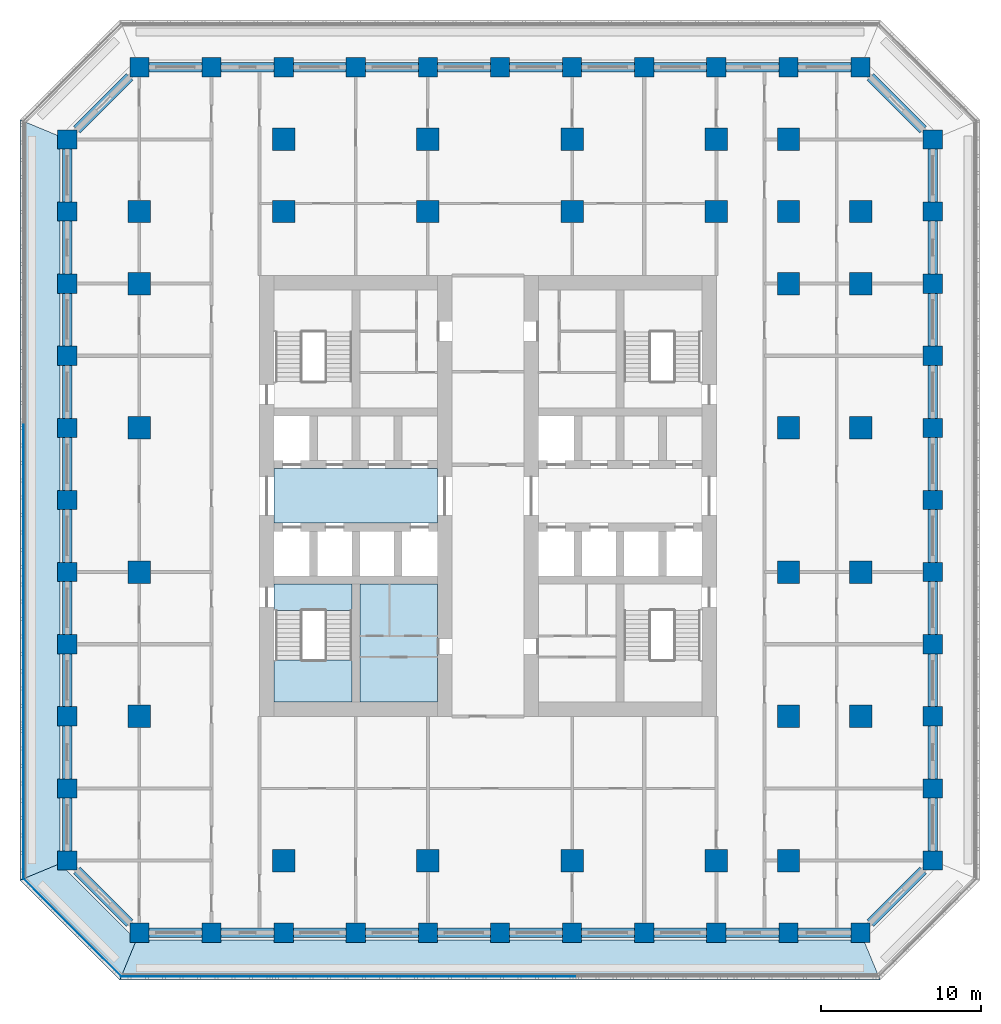
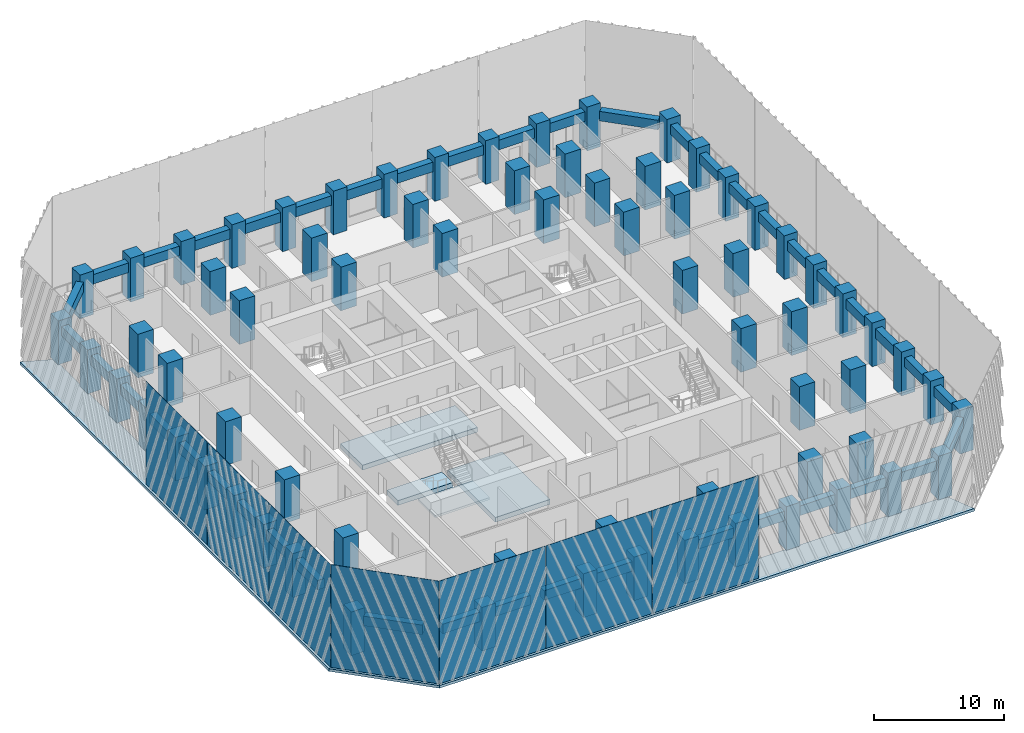
# One storey, part 1 of 20: 73 columns, 44 beams, 7 plates, 7 slabs, 1 element without a shape of its own.
"""IFC4 building model written with IfcOpenShell, lengths in metres."""

from ifc_helpers import new_model, si_unit, direction, frame, origin, origin_2d, place, context, subcontext, project, spatial, polyline, rectangle, outline, extrude, material, layer, layer_set, material_profile, profile_set, type_object, element, aggregate, save


model = new_model("IFC4")

# Units and contexts
model_context = context("Model", 3, precision=1e-05, world=origin(), true_north=direction((0.0, 1.0)))
body_context = subcontext(model_context, "Body", "Model", "MODEL_VIEW")
ifc_project = project(units=[si_unit("LENGTHUNIT", "METRE"), si_unit("AREAUNIT", "SQUARE_METRE"), si_unit("VOLUMEUNIT", "CUBIC_METRE"), si_unit("PLANEANGLEUNIT", "RADIAN"), si_unit("MASSUNIT", "GRAM", prefix="KILO")], contexts=[model_context])

# Site, building, storey
site_placement = place(None, origin())
site = spatial("IfcSite", under=ifc_project, at=site_placement, CompositionType="ELEMENT")
building_placement = place(site_placement, origin())
building = spatial("IfcBuilding", under=site, at=building_placement, Name="Corbel Stack Research Tower", CompositionType="ELEMENT")
storey_placement = place(building_placement, frame((0.0, 0.0, 106.60009765625)))
storey = spatial("IfcBuildingStorey", under=building, at=storey_placement, Name="L24", CompositionType="ELEMENT", Elevation=106.60009765625)

# Columns
ifc_material_1 = material(Name="Concrete C70/85", Category="concrete")
ifc_material_profile_1 = material_profile(ifc_material_1, rectangle(XDim=1.199951171875, YDim=1.199951171875, at=origin_2d()), Name="RC 1200 x 1200")
ifc_profile_set_1 = profile_set([ifc_material_profile_1], Name="Concrete C70/85")
column_type_1 = type_object("IfcColumnType", Name="C-1200-70", PredefinedType="COLUMN", material=ifc_profile_set_1)
for number, where, z_axis, x_axis, name in (
    (1, (-22.5, -18.0, 0.0), (0.0, 0.0, 1.0), (1.0, 0.0, 0.0), "Column 3/D L24"),
    (2, (-22.5, -13.5, 0.0), (0.0, 0.0, 1.0), (1.0, 0.0, 0.0), "Column 3/E L24"),
    (3, (-22.5, -9.0, 0.0), (0.0, 0.0, 1.0), (1.0, 0.0, 0.0), "Column 3/F L24"),
    (4, (-22.5, -4.5, 0.0), (0.0, 0.0, 1.0), (1.0, 0.0, 0.0), "Column 3/G L24"),
    (5, (-22.5, 0.0, 0.0), (0.0, 0.0, 1.0), (1.0, 0.0, 0.0), "Column 3/H L24"),
    (6, (-22.5, 4.5, 0.0), (0.0, 0.0, 1.0), (1.0, 0.0, 0.0), "Column 3/J L24"),
    (7, (-22.5, 9.0, 0.0), (0.0, 0.0, 1.0), (1.0, 0.0, 0.0), "Column 3/K L24"),
    (8, (-22.5, 13.5, 0.0), (0.0, 0.0, 1.0), (1.0, 0.0, 0.0), "Column 3/L L24"),
    (9, (-22.5, 18.0, 0.0), (0.0, 0.0, 1.0), (1.0, 0.0, 0.0), "Column 3/M L24"),
    (10, (-22.5, 22.5, 0.0), (0.0, 0.0, 1.0), (1.0, 0.0, 0.0), "Column 3/N L24"),
    (11, (-22.5, 27.0, 0.0), (0.0, 0.0, 1.0), (1.0, 0.0, 0.0), "Column 3/P L24"),
    (12, (-18.0, -22.5, 0.0), (0.0, 0.0, 1.0), (1.0, 0.0, 0.0), "Column 4/C L24"),
    (13, (-18.0, 31.5, 0.0), (0.0, 0.0, 1.0), (1.0, 0.0, 0.0), "Column 4/Q L24"),
    (14, (-13.5, -22.5, 0.0), (0.0, 0.0, 1.0), (1.0, 0.0, 0.0), "Column 5/C L24"),
    (15, (-13.5, 31.5, 0.0), (0.0, 0.0, 1.0), (1.0, 0.0, 0.0), "Column 5/Q L24"),
    (16, (-9.0, -22.5, 0.0), (0.0, 0.0, 1.0), (1.0, 0.0, 0.0), "Column 6/C L24"),
    (17, (-9.0, 31.5, 0.0), (0.0, 0.0, 1.0), (1.0, 0.0, 0.0), "Column 6/Q L24"),
    (18, (-4.5, -22.5, 0.0), (0.0, 0.0, 1.0), (1.0, 0.0, 0.0), "Column 7/C L24"),
    (19, (-4.5, 31.5, 0.0), (0.0, 0.0, 1.0), (1.0, 0.0, 0.0), "Column 7/Q L24"),
    (20, (0.0, -22.5, 0.0), (0.0, 0.0, 1.0), (1.0, 0.0, 0.0), "Column 8/C L24"),
    (21, (0.0, 31.5, 0.0), (0.0, 0.0, 1.0), (1.0, 0.0, 0.0), "Column 8/Q L24"),
    (22, (4.5, -22.5, 0.0), (0.0, 0.0, 1.0), (1.0, 0.0, 0.0), "Column 9/C L24"),
    (23, (4.5, 31.5, 0.0), (0.0, 0.0, 1.0), (1.0, 0.0, 0.0), "Column 9/Q L24"),
    (24, (9.0, -22.5, 0.0), (0.0, 0.0, 1.0), (1.0, 0.0, 0.0), "Column 10/C L24"),
    (25, (9.0, 31.5, 0.0), (0.0, 0.0, 1.0), (1.0, 0.0, 0.0), "Column 10/Q L24"),
    (26, (13.5, -22.5, 0.0), (0.0, 0.0, 1.0), (1.0, 0.0, 0.0), "Column 11/C L24"),
    (27, (13.5, 31.5, 0.0), (0.0, 0.0, 1.0), (1.0, 0.0, 0.0), "Column 11/Q L24"),
    (28, (18.0, -22.5, 0.0), (0.0, 0.0, 1.0), (1.0, 0.0, 0.0), "Column 12/C L24"),
    (29, (18.0, 31.5, 0.0), (0.0, 0.0, 1.0), (1.0, 0.0, 0.0), "Column 12/Q L24"),
    (30, (22.5, -22.5, 0.0), (0.0, 0.0, 1.0), (1.0, 0.0, 0.0), "Column 13/C L24"),
    (31, (22.5, 31.5, 0.0), (0.0, 0.0, 1.0), (1.0, 0.0, 0.0), "Column 13/Q L24"),
    (32, (27.0, -22.5, 0.0), (0.0, 0.0, 1.0), (1.0, 0.0, 0.0), "Column 14/C L24"),
    (33, (27.0, 31.5, 0.0), (0.0, 0.0, 1.0), (1.0, 0.0, 0.0), "Column 14/Q L24"),
    (34, (31.5, -18.0, 0.0), (0.0, 0.0, 1.0), (1.0, 0.0, 0.0), "Column 15/D L24"),
    (35, (31.5, -13.5, 0.0), (0.0, 0.0, 1.0), (1.0, 0.0, 0.0), "Column 15/E L24"),
    (36, (31.5, -9.0, 0.0), (0.0, 0.0, 1.0), (1.0, 0.0, 0.0), "Column 15/F L24"),
    (37, (31.5, -4.5, 0.0), (0.0, 0.0, 1.0), (1.0, 0.0, 0.0), "Column 15/G L24"),
    (38, (31.5, 0.0, 0.0), (0.0, 0.0, 1.0), (1.0, 0.0, 0.0), "Column 15/H L24"),
    (39, (31.5, 4.5, 0.0), (0.0, 0.0, 1.0), (1.0, 0.0, 0.0), "Column 15/J L24"),
    (40, (31.5, 9.0, 0.0), (0.0, 0.0, 1.0), (1.0, 0.0, 0.0), "Column 15/K L24"),
    (41, (31.5, 13.5, 0.0), (0.0, 0.0, 1.0), (1.0, 0.0, 0.0), "Column 15/L L24"),
    (42, (31.5, 18.0, 0.0), (0.0, 0.0, 1.0), (1.0, 0.0, 0.0), "Column 15/M L24"),
    (43, (31.5, 22.5, 0.0), (0.0, 0.0, 1.0), (1.0, 0.0, 0.0), "Column 15/N L24"),
    (44, (31.5, 27.0, 0.0), (0.0, 0.0, 1.0), (1.0, 0.0, 0.0), "Column 15/P L24"),
):
    element("IfcColumn", number, at=place(storey_placement, frame(where, z_axis=z_axis, x_axis=x_axis)), inside=storey, type_object=column_type_1, Name=name, PredefinedType="COLUMN", context=body_context, shape_type="SweptSolid", body=[
        extrude(rectangle(XDim=1.199951171875, YDim=1.199951171875, at=origin_2d()), origin(), (0.0, 0.0, 1.0), 4.099853515625),
    ])
ifc_material_2 = material(Name="Concrete C70/85", Category="concrete")
ifc_material_profile_2 = material_profile(ifc_material_2, rectangle(XDim=1.39990234375, YDim=1.39990234375, at=origin_2d()), Name="RC 1400 x 1400")
ifc_profile_set_2 = profile_set([ifc_material_profile_2], Name="Concrete C70/85")
column_type_2 = type_object("IfcColumnType", Name="C-1400-70", PredefinedType="COLUMN", material=ifc_profile_set_2)
for number, where, z_axis, x_axis, name in (
    (45, (-18.0, -9.0, 0.0), (0.0, 0.0, 1.0), (1.0, 0.0, 0.0), "Column 4/F L24"),
    (46, (-18.0, 0.0, 0.0), (0.0, 0.0, 1.0), (1.0, 0.0, 0.0), "Column 4/H L24"),
    (47, (-18.0, 9.0, 0.0), (0.0, 0.0, 1.0), (1.0, 0.0, 0.0), "Column 4/K L24"),
    (48, (-18.0, 18.0, 0.0), (0.0, 0.0, 1.0), (1.0, 0.0, 0.0), "Column 4/M L24"),
    (49, (-18.0, 22.5, 0.0), (0.0, 0.0, 1.0), (1.0, 0.0, 0.0), "Column 4/N L24"),
    (50, (-9.0, -18.0, 0.0), (0.0, 0.0, 1.0), (1.0, 0.0, 0.0), "Column 6/D L24"),
    (51, (-9.0, 22.5, 0.0), (0.0, 0.0, 1.0), (1.0, 0.0, 0.0), "Column 6/N L24"),
    (52, (-9.0, 27.0, 0.0), (0.0, 0.0, 1.0), (1.0, 0.0, 0.0), "Column 6/P L24"),
    (53, (0.0, -18.0, 0.0), (0.0, 0.0, 1.0), (1.0, 0.0, 0.0), "Column 8/D L24"),
    (54, (0.0, 22.5, 0.0), (0.0, 0.0, 1.0), (1.0, 0.0, 0.0), "Column 8/N L24"),
    (55, (0.0, 27.0, 0.0), (0.0, 0.0, 1.0), (1.0, 0.0, 0.0), "Column 8/P L24"),
    (56, (9.0, -18.0, 0.0), (0.0, 0.0, 1.0), (1.0, 0.0, 0.0), "Column 10/D L24"),
    (57, (9.0, 22.5, 0.0), (0.0, 0.0, 1.0), (1.0, 0.0, 0.0), "Column 10/N L24"),
    (58, (9.0, 27.0, 0.0), (0.0, 0.0, 1.0), (1.0, 0.0, 0.0), "Column 10/P L24"),
    (59, (18.0, -18.0, 0.0), (0.0, 0.0, 1.0), (1.0, 0.0, 0.0), "Column 12/D L24"),
    (60, (18.0, 22.5, 0.0), (0.0, 0.0, 1.0), (1.0, 0.0, 0.0), "Column 12/N L24"),
    (61, (18.0, 27.0, 0.0), (0.0, 0.0, 1.0), (1.0, 0.0, 0.0), "Column 12/P L24"),
    (62, (22.5, -18.0, 0.0), (0.0, 0.0, 1.0), (1.0, 0.0, 0.0), "Column 13/D L24"),
    (63, (22.5, -9.0, 0.0), (0.0, 0.0, 1.0), (1.0, 0.0, 0.0), "Column 13/F L24"),
    (64, (22.5, 0.0, 0.0), (0.0, 0.0, 1.0), (1.0, 0.0, 0.0), "Column 13/H L24"),
    (65, (22.5, 9.0, 0.0), (0.0, 0.0, 1.0), (1.0, 0.0, 0.0), "Column 13/K L24"),
    (66, (22.5, 18.0, 0.0), (0.0, 0.0, 1.0), (1.0, 0.0, 0.0), "Column 13/M L24"),
    (67, (22.5, 22.5, 0.0), (0.0, 0.0, 1.0), (1.0, 0.0, 0.0), "Column 13/N L24"),
    (68, (22.5, 27.0, 0.0), (0.0, 0.0, 1.0), (1.0, 0.0, 0.0), "Column 13/P L24"),
    (69, (27.0, -9.0, 0.0), (0.0, 0.0, 1.0), (1.0, 0.0, 0.0), "Column 14/F L24"),
    (70, (27.0, 0.0, 0.0), (0.0, 0.0, 1.0), (1.0, 0.0, 0.0), "Column 14/H L24"),
    (71, (27.0, 9.0, 0.0), (0.0, 0.0, 1.0), (1.0, 0.0, 0.0), "Column 14/K L24"),
    (72, (27.0, 18.0, 0.0), (0.0, 0.0, 1.0), (1.0, 0.0, 0.0), "Column 14/M L24"),
    (73, (27.0, 22.5, 0.0), (0.0, 0.0, 1.0), (1.0, 0.0, 0.0), "Column 14/N L24"),
):
    element("IfcColumn", number, at=place(storey_placement, frame(where, z_axis=z_axis, x_axis=x_axis)), inside=storey, type_object=column_type_2, Name=name, PredefinedType="COLUMN", context=body_context, shape_type="SweptSolid", body=[
        extrude(rectangle(XDim=1.39990234375, YDim=1.39990234375, at=origin_2d()), origin(), (0.0, 0.0, 1.0), 4.099853515625),
    ])

# Beams
ifc_material_3 = material(Name="Concrete C60/75", Category="concrete")
ifc_material_profile_3 = material_profile(ifc_material_3, rectangle(XDim=0.60009765625, YDim=0.89990234375, at=origin_2d()), Name="RC 600 x 900")
ifc_profile_set_3 = profile_set([ifc_material_profile_3], Name="Concrete C60/75")
beam_type = type_object("IfcBeamType", Name="SB-600-900-600", PredefinedType="SPANDREL", material=ifc_profile_set_3)
for number, where, z_axis, x_axis, name in (
    (74, (-17.39990234375, -22.5, 3.0498046875), (1.0, 0.0, 0.0), (0.0, 1.0, 0.0), "Spandrel beam L24-01"),
    (75, (-12.89990234375, -22.5, 3.0498046875), (1.0, 0.0, 0.0), (0.0, 1.0, 0.0), "Spandrel beam L24-02"),
    (76, (-8.39990234375, -22.5, 3.0498046875), (1.0, 0.0, 0.0), (0.0, 1.0, 0.0), "Spandrel beam L24-03"),
    (77, (-3.89990234375, -22.5, 3.0498046875), (1.0, 0.0, 0.0), (0.0, 1.0, 0.0), "Spandrel beam L24-04"),
    (78, (0.60009765625, -22.5, 3.0498046875), (1.0, 0.0, 0.0), (0.0, 1.0, 0.0), "Spandrel beam L24-05"),
    (79, (5.10009765625, -22.5, 3.0498046875), (1.0, 0.0, 0.0), (0.0, 1.0, 0.0), "Spandrel beam L24-06"),
    (80, (9.60009765625, -22.5, 3.0498046875), (1.0, 0.0, 0.0), (0.0, 1.0, 0.0), "Spandrel beam L24-07"),
    (81, (14.10009765625, -22.5, 3.0498046875), (1.0, 0.0, 0.0), (0.0, 1.0, 0.0), "Spandrel beam L24-08"),
    (82, (18.60009765625, -22.5, 3.0498046875), (1.0, 0.0, 0.0), (0.0, 1.0, 0.0), "Spandrel beam L24-09"),
    (83, (23.10009765625, -22.5, 3.0498046875), (1.0, 0.0, 0.0), (0.0, 1.0, 0.0), "Spandrel beam L24-10"),
):
    element("IfcBeam", number, at=place(storey_placement, frame(where, z_axis=z_axis, x_axis=x_axis)), inside=storey, type_object=beam_type, Name=name, PredefinedType="SPANDREL", context=body_context, shape_type="SweptSolid", body=[
        extrude(rectangle(XDim=0.60009765625, YDim=0.89990234375, at=origin_2d()), origin(), (0.0, 0.0, 1.0), 3.2998046875),
    ])
beam_1_placement = place(storey_placement, frame((27.60009765625, -21.89990234375, 3.0498046875), z_axis=(0.707106781187, 0.707106781187, 0.0), x_axis=(-0.707106781187, 0.707106781187, 0.0)))
element("IfcBeam", 84, at=beam_1_placement, inside=storey, type_object=beam_type, Name="Spandrel beam L24-11", PredefinedType="SPANDREL", context=body_context, shape_type="SweptSolid", body=[
    extrude(rectangle(XDim=0.60009765625, YDim=0.89990234375, at=origin_2d()), origin(), (0.0, 0.0, 1.0), 4.666748046875),
])
for number, where, z_axis, x_axis, name in (
    (85, (31.5, -17.39990234375, 3.0498046875), (0.0, 1.0, 0.0), (-1.0, 0.0, 0.0), "Spandrel beam L24-12"),
    (86, (31.5, -12.89990234375, 3.0498046875), (0.0, 1.0, 0.0), (-1.0, 0.0, 0.0), "Spandrel beam L24-13"),
    (87, (31.5, -8.39990234375, 3.0498046875), (0.0, 1.0, 0.0), (-1.0, 0.0, 0.0), "Spandrel beam L24-14"),
    (88, (31.5, -3.89990234375, 3.0498046875), (0.0, 1.0, 0.0), (-1.0, 0.0, 0.0), "Spandrel beam L24-15"),
    (89, (31.5, 0.60009765625, 3.0498046875), (0.0, 1.0, 0.0), (-1.0, 0.0, 0.0), "Spandrel beam L24-16"),
    (90, (31.5, 5.10009765625, 3.0498046875), (0.0, 1.0, 0.0), (-1.0, 0.0, 0.0), "Spandrel beam L24-17"),
    (91, (31.5, 9.60009765625, 3.0498046875), (0.0, 1.0, 0.0), (-1.0, 0.0, 0.0), "Spandrel beam L24-18"),
    (92, (31.5, 14.10009765625, 3.0498046875), (0.0, 1.0, 0.0), (-1.0, 0.0, 0.0), "Spandrel beam L24-19"),
    (93, (31.5, 18.60009765625, 3.0498046875), (0.0, 1.0, 0.0), (-1.0, 0.0, 0.0), "Spandrel beam L24-20"),
    (94, (31.5, 23.10009765625, 3.0498046875), (0.0, 1.0, 0.0), (-1.0, 0.0, 0.0), "Spandrel beam L24-21"),
):
    element("IfcBeam", number, at=place(storey_placement, frame(where, z_axis=z_axis, x_axis=x_axis)), inside=storey, type_object=beam_type, Name=name, PredefinedType="SPANDREL", context=body_context, shape_type="SweptSolid", body=[
        extrude(rectangle(XDim=0.60009765625, YDim=0.89990234375, at=origin_2d()), origin(), (0.0, 0.0, 1.0), 3.2998046875),
    ])
beam_2_placement = place(storey_placement, frame((30.89990234375, 27.60009765625, 3.0498046875), z_axis=(-0.707106781187, 0.707106781187, 0.0), x_axis=(-0.707106781187, -0.707106781187, 0.0)))
element("IfcBeam", 95, at=beam_2_placement, inside=storey, type_object=beam_type, Name="Spandrel beam L24-22", PredefinedType="SPANDREL", context=body_context, shape_type="SweptSolid", body=[
    extrude(rectangle(XDim=0.60009765625, YDim=0.89990234375, at=origin_2d()), origin(), (0.0, 0.0, 1.0), 4.666748046875),
])
for number, where, z_axis, x_axis, name in (
    (96, (26.39990234375, 31.5, 3.0498046875), (-1.0, 0.0, 0.0), (0.0, -1.0, 0.0), "Spandrel beam L24-23"),
    (97, (21.89990234375, 31.5, 3.0498046875), (-1.0, 0.0, 0.0), (0.0, -1.0, 0.0), "Spandrel beam L24-24"),
    (98, (17.39990234375, 31.5, 3.0498046875), (-1.0, 0.0, 0.0), (0.0, -1.0, 0.0), "Spandrel beam L24-25"),
    (99, (12.89990234375, 31.5, 3.0498046875), (-1.0, 0.0, 0.0), (0.0, -1.0, 0.0), "Spandrel beam L24-26"),
    (100, (8.39990234375, 31.5, 3.0498046875), (-1.0, 0.0, 0.0), (0.0, -1.0, 0.0), "Spandrel beam L24-27"),
    (101, (3.89990234375, 31.5, 3.0498046875), (-1.0, 0.0, 0.0), (0.0, -1.0, 0.0), "Spandrel beam L24-28"),
    (102, (-0.60009765625, 31.5, 3.0498046875), (-1.0, 0.0, 0.0), (0.0, -1.0, 0.0), "Spandrel beam L24-29"),
    (103, (-5.10009765625, 31.5, 3.0498046875), (-1.0, 0.0, 0.0), (0.0, -1.0, 0.0), "Spandrel beam L24-30"),
    (104, (-9.60009765625, 31.5, 3.0498046875), (-1.0, 0.0, 0.0), (0.0, -1.0, 0.0), "Spandrel beam L24-31"),
    (105, (-14.10009765625, 31.5, 3.0498046875), (-1.0, 0.0, 0.0), (0.0, -1.0, 0.0), "Spandrel beam L24-32"),
):
    element("IfcBeam", number, at=place(storey_placement, frame(where, z_axis=z_axis, x_axis=x_axis)), inside=storey, type_object=beam_type, Name=name, PredefinedType="SPANDREL", context=body_context, shape_type="SweptSolid", body=[
        extrude(rectangle(XDim=0.60009765625, YDim=0.89990234375, at=origin_2d()), origin(), (0.0, 0.0, 1.0), 3.2998046875),
    ])
beam_3_placement = place(storey_placement, frame((-18.60009765625, 30.89990234375, 3.0498046875), z_axis=(-0.707106781187, -0.707106781187, 0.0), x_axis=(0.707106781187, -0.707106781187, 0.0)))
element("IfcBeam", 106, at=beam_3_placement, inside=storey, type_object=beam_type, Name="Spandrel beam L24-33", PredefinedType="SPANDREL", context=body_context, shape_type="SweptSolid", body=[
    extrude(rectangle(XDim=0.60009765625, YDim=0.89990234375, at=origin_2d()), origin(), (0.0, 0.0, 1.0), 4.666748046875),
])
for number, where, z_axis, x_axis, name in (
    (107, (-22.5, 26.39990234375, 3.0498046875), (0.0, -1.0, 0.0), (1.0, 0.0, 0.0), "Spandrel beam L24-34"),
    (108, (-22.5, 21.89990234375, 3.0498046875), (0.0, -1.0, 0.0), (1.0, 0.0, 0.0), "Spandrel beam L24-35"),
    (109, (-22.5, 17.39990234375, 3.0498046875), (0.0, -1.0, 0.0), (1.0, 0.0, 0.0), "Spandrel beam L24-36"),
    (110, (-22.5, 12.89990234375, 3.0498046875), (0.0, -1.0, 0.0), (1.0, 0.0, 0.0), "Spandrel beam L24-37"),
    (111, (-22.5, 8.39990234375, 3.0498046875), (0.0, -1.0, 0.0), (1.0, 0.0, 0.0), "Spandrel beam L24-38"),
    (112, (-22.5, 3.89990234375, 3.0498046875), (0.0, -1.0, 0.0), (1.0, 0.0, 0.0), "Spandrel beam L24-39"),
    (113, (-22.5, -0.60009765625, 3.0498046875), (0.0, -1.0, 0.0), (1.0, 0.0, 0.0), "Spandrel beam L24-40"),
    (114, (-22.5, -5.10009765625, 3.0498046875), (0.0, -1.0, 0.0), (1.0, 0.0, 0.0), "Spandrel beam L24-41"),
    (115, (-22.5, -9.60009765625, 3.0498046875), (0.0, -1.0, 0.0), (1.0, 0.0, 0.0), "Spandrel beam L24-42"),
    (116, (-22.5, -14.10009765625, 3.0498046875), (0.0, -1.0, 0.0), (1.0, 0.0, 0.0), "Spandrel beam L24-43"),
):
    element("IfcBeam", number, at=place(storey_placement, frame(where, z_axis=z_axis, x_axis=x_axis)), inside=storey, type_object=beam_type, Name=name, PredefinedType="SPANDREL", context=body_context, shape_type="SweptSolid", body=[
        extrude(rectangle(XDim=0.60009765625, YDim=0.89990234375, at=origin_2d()), origin(), (0.0, 0.0, 1.0), 3.2998046875),
    ])
beam_4_placement = place(storey_placement, frame((-21.89990234375, -18.60009765625, 3.0498046875), z_axis=(0.707106781187, -0.707106781187, 0.0), x_axis=(0.707106781187, 0.707106781187, 0.0)))
element("IfcBeam", 117, at=beam_4_placement, inside=storey, type_object=beam_type, Name="Spandrel beam L24-44", PredefinedType="SPANDREL", context=body_context, shape_type="SweptSolid", body=[
    extrude(rectangle(XDim=0.60009765625, YDim=0.89990234375, at=origin_2d()), origin(), (0.0, 0.0, 1.0), 4.666748046875),
])

# Plates
ifc_material_4 = material(Name="Fritted glass", Category="glass")
ifc_layer_1 = layer(ifc_material_4, 0.02490234375)
ifc_layer_set_1 = layer_set([ifc_layer_1], Name="Fritted glass")
plate_type = type_object("IfcPlateType", Name="Fritted glass panel 25", PredefinedType="SHEET", material=ifc_layer_set_1)
for number, where, z_axis, x_axis, name in (
    (118, (-14.411376953125, -25.237548828125, 0.0), (0.0, 0.0, 1.0), (1.0, 0.0, 0.0), "Fritted glass L24 S1"),
    (119, (-4.95556640625, -25.237548828125, 0.0), (0.0, 0.0, 1.0), (1.0, 0.0, 0.0), "Fritted glass L24 S2"),
    (120, (4.5, -25.237548828125, 0.0), (0.0, 0.0, 1.0), (1.0, 0.0, 0.0), "Fritted glass L24 S3"),
    (121, (-25.237548828125, 4.5, 0.0), (0.0, 0.0, 1.0), (0.0, -1.0, 0.0), "Fritted glass L24 W3"),
    (122, (-25.237548828125, -4.95556640625, 0.0), (0.0, 0.0, 1.0), (0.0, -1.0, 0.0), "Fritted glass L24 W4"),
    (123, (-25.237548828125, -14.411376953125, 0.0), (0.0, 0.0, 1.0), (0.0, -1.0, 0.0), "Fritted glass L24 W5"),
):
    element("IfcPlate", number, at=place(storey_placement, frame(where, z_axis=z_axis, x_axis=x_axis)), inside=storey, type_object=plate_type, Name=name, PredefinedType="SHEET", context=body_context, shape_type="SweptSolid", body=[
        extrude(rectangle(XDim=9.3955078125, YDim=0.02490234375, at=origin_2d()), origin(), (0.0, 0.0, 1.0), 9.64990234375),
    ])
plate_placement = place(storey_placement, frame((-22.185791015625, -22.185791015625, 0.0), z_axis=(0.0, 0.0, 1.0), x_axis=(0.707106781187, -0.707106781187, 0.0)))
element("IfcPlate", 124, at=plate_placement, inside=storey, type_object=plate_type, Name="Fritted glass L24 SW1", PredefinedType="SHEET", context=body_context, shape_type="SweptSolid", body=[
    extrude(rectangle(XDim=8.58203125, YDim=0.02490234375, at=origin_2d()), origin(), (0.0, 0.0, 1.0), 9.64990234375),
])

# Slabs
ifc_material_5 = material(Name="Concrete C45/55", Category="concrete")
ifc_layer_2 = layer(ifc_material_5, 0.25)
ifc_layer_set_2 = layer_set([ifc_layer_2], Name="Concrete C45/55")
slab_type_1 = type_object("IfcSlabType", Name="PT balcony slab 250 C45/55", PredefinedType="FLOOR", material=ifc_layer_set_2)
slab_1_placement = place(storey_placement, frame((0.0, 0.0, -0.25)))
element("IfcSlab", 125, at=slab_1_placement, inside=storey, type_object=slab_type_1, Name="Loggia slab L24 S", PredefinedType="FLOOR", context=body_context, shape_type="SweptSolid", body=[
    extrude(outline(polyline([(27.24853515625, -23.10009765625), (26.39990234375, -23.10009765625), (26.39990234375, -22.949951171875), (23.10009765625, -22.949951171875), (23.10009765625, -23.10009765625), (21.89990234375, -23.10009765625), (21.89990234375, -22.949951171875), (18.60009765625, -22.949951171875), (18.60009765625, -23.10009765625), (17.39990234375, -23.10009765625), (17.39990234375, -22.949951171875), (14.10009765625, -22.949951171875), (14.10009765625, -23.10009765625), (12.89990234375, -23.10009765625), (12.89990234375, -22.949951171875), (9.60009765625, -22.949951171875), (9.60009765625, -23.10009765625), (8.39990234375, -23.10009765625), (8.39990234375, -22.949951171875), (5.10009765625, -22.949951171875), (5.10009765625, -23.10009765625), (3.89990234375, -23.10009765625), (3.89990234375, -22.949951171875), (0.60009765625, -22.949951171875), (0.60009765625, -23.10009765625), (-0.60009765625, -23.10009765625), (-0.60009765625, -22.949951171875), (-3.89990234375, -22.949951171875), (-3.89990234375, -23.10009765625), (-5.10009765625, -23.10009765625), (-5.10009765625, -22.949951171875), (-8.39990234375, -22.949951171875), (-8.39990234375, -23.10009765625), (-9.60009765625, -23.10009765625), (-9.60009765625, -22.949951171875), (-12.89990234375, -22.949951171875), (-12.89990234375, -23.10009765625), (-14.10009765625, -23.10009765625), (-14.10009765625, -22.949951171875), (-17.39990234375, -22.949951171875), (-17.39990234375, -23.10009765625), (-18.24853515625, -23.10009765625), (-19.221923828125, -25.449951171875), (28.221923828125, -25.449951171875), (27.24853515625, -23.10009765625)])), origin(), (0.0, 0.0, 1.0), 0.25),
])
slab_2_placement = place(storey_placement, frame((0.0, 0.0, -0.25)))
element("IfcSlab", 126, at=slab_2_placement, inside=storey, type_object=slab_type_1, Name="Loggia slab L24 W", PredefinedType="FLOOR", context=body_context, shape_type="SweptSolid", body=[
    extrude(outline(polyline([(-23.10009765625, -18.24853515625), (-23.10009765625, -17.39990234375), (-22.949951171875, -17.39990234375), (-22.949951171875, -14.10009765625), (-23.10009765625, -14.10009765625), (-23.10009765625, -12.89990234375), (-22.949951171875, -12.89990234375), (-22.949951171875, -9.60009765625), (-23.10009765625, -9.60009765625), (-23.10009765625, -8.39990234375), (-22.949951171875, -8.39990234375), (-22.949951171875, -5.10009765625), (-23.10009765625, -5.10009765625), (-23.10009765625, -3.89990234375), (-22.949951171875, -3.89990234375), (-22.949951171875, -0.60009765625), (-23.10009765625, -0.60009765625), (-23.10009765625, 0.60009765625), (-22.949951171875, 0.60009765625), (-22.949951171875, 3.89990234375), (-23.10009765625, 3.89990234375), (-23.10009765625, 5.10009765625), (-22.949951171875, 5.10009765625), (-22.949951171875, 8.39990234375), (-23.10009765625, 8.39990234375), (-23.10009765625, 9.60009765625), (-22.949951171875, 9.60009765625), (-22.949951171875, 12.89990234375), (-23.10009765625, 12.89990234375), (-23.10009765625, 14.10009765625), (-22.949951171875, 14.10009765625), (-22.949951171875, 17.39990234375), (-23.10009765625, 17.39990234375), (-23.10009765625, 18.60009765625), (-22.949951171875, 18.60009765625), (-22.949951171875, 21.89990234375), (-23.10009765625, 21.89990234375), (-23.10009765625, 23.10009765625), (-22.949951171875, 23.10009765625), (-22.949951171875, 26.39990234375), (-23.10009765625, 26.39990234375), (-23.10009765625, 27.24853515625), (-25.449951171875, 28.221923828125), (-25.449951171875, -19.221923828125), (-23.10009765625, -18.24853515625)])), origin(), (0.0, 0.0, 1.0), 0.25),
])
slab_3_placement = place(storey_placement, frame((0.0, 0.0, -0.25)))
element("IfcSlab", 127, at=slab_3_placement, inside=storey, type_object=slab_type_1, Name="Loggia slab L24 SW", PredefinedType="FLOOR", context=body_context, shape_type="SweptSolid", body=[
    extrude(outline(polyline([(-18.24853515625, -23.10009765625), (-18.60009765625, -23.10009765625), (-18.60009765625, -22.536376953125), (-22.536376953125, -18.60009765625), (-23.10009765625, -18.60009765625), (-23.10009765625, -18.24853515625), (-25.449951171875, -19.221923828125), (-19.221923828125, -25.449951171875), (-18.24853515625, -23.10009765625)])), origin(), (0.0, 0.0, 1.0), 0.25),
])
ifc_material_6 = material(Name="Concrete C45/55", Category="concrete")
ifc_layer_3 = layer(ifc_material_6, 0.449951171875)
ifc_layer_set_3 = layer_set([ifc_layer_3], Name="Concrete C45/55")
slab_type_2 = type_object("IfcSlabType", Name="PT-450", PredefinedType="FLOOR", material=ifc_layer_set_3)
slab_4_placement = place(storey_placement, frame((0.0, 0.0, -0.4501953125)))
element("IfcSlab", 128, at=slab_4_placement, inside=storey, type_object=slab_type_2, Name="West core floor L24", PredefinedType="FLOOR", context=body_context, shape_type="SweptSolid", body=[
    extrude(outline(polyline([(0.60009765625, 6.449951171875), (-9.60009765625, 6.449951171875), (-9.60009765625, 3.050048828125), (0.60009765625, 3.050048828125), (0.60009765625, 6.449951171875)])), origin(), (0.0, 0.0, 1.0), 0.4501953125),
])
slab_5_placement = place(storey_placement, frame((0.0, 0.0, -0.4501953125)))
element("IfcSlab", 129, at=slab_5_placement, inside=storey, type_object=slab_type_2, Name="West core floor L24", PredefinedType="FLOOR", context=body_context, shape_type="SweptSolid", body=[
    extrude(outline(polyline([(0.60009765625, -8.10009765625), (0.60009765625, -0.75), (-4.25, -0.75), (-4.25, -8.10009765625), (0.60009765625, -8.10009765625)])), origin(), (0.0, 0.0, 1.0), 0.4501953125),
])
slab_6_placement = place(storey_placement, frame((0.0, 0.0, -0.4501953125)))
element("IfcSlab", 130, at=slab_6_placement, inside=storey, type_object=slab_type_2, Name="Stair floor landing ST-W1", PredefinedType="FLOOR", context=body_context, shape_type="SweptSolid", body=[
    extrude(outline(polyline([(-9.60009765625, -2.39990234375), (-4.75, -2.39990234375), (-4.75, -0.75), (-9.60009765625, -0.75), (-9.60009765625, -2.39990234375)])), origin(), (0.0, 0.0, 1.0), 0.4501953125),
])

# Stair, slab
ifc_material_7 = material(Name="Concrete C40/50", Category="concrete")
stair_type = type_object("IfcStairType", Name="Exit stair 24 risers", PredefinedType="HALF_TURN_STAIR", material=ifc_material_7)
stair_placement = place(storey_placement, origin())
stair = element("IfcStair", 131, at=stair_placement, inside=storey, type_object=stair_type, Name="L24 Exit stair ST-W1", PredefinedType="HALF_TURN_STAIR")
ifc_material_8 = material(Name="Concrete C40/50", Category="concrete")
ifc_layer_4 = layer(ifc_material_8, 0.199951171875)
ifc_layer_set_4 = layer_set([ifc_layer_4], Name="Concrete C40/50")
slab_type_3 = type_object("IfcSlabType", Name="Stair landing 200 C40/50", PredefinedType="LANDING", material=ifc_layer_set_4)
slab_7_placement = place(storey_placement, frame((0.0, 0.0, 1.849853515625)))
slab_7 = element("IfcSlab", 132, at=slab_7_placement, type_object=slab_type_3, Name="ST-W1 landing 1", PredefinedType="LANDING", context=body_context, shape_type="SweptSolid", body=[
    extrude(outline(polyline([(-9.60009765625, -8.10009765625), (-9.60009765625, -5.47998046875), (-4.75, -5.47998046875), (-4.75, -8.10009765625), (-9.60009765625, -8.10009765625)])), origin(), (0.0, 0.0, 1.0), 0.199951171875),
])
aggregate(stair, [slab_7])

save(model, "model.ifc")
